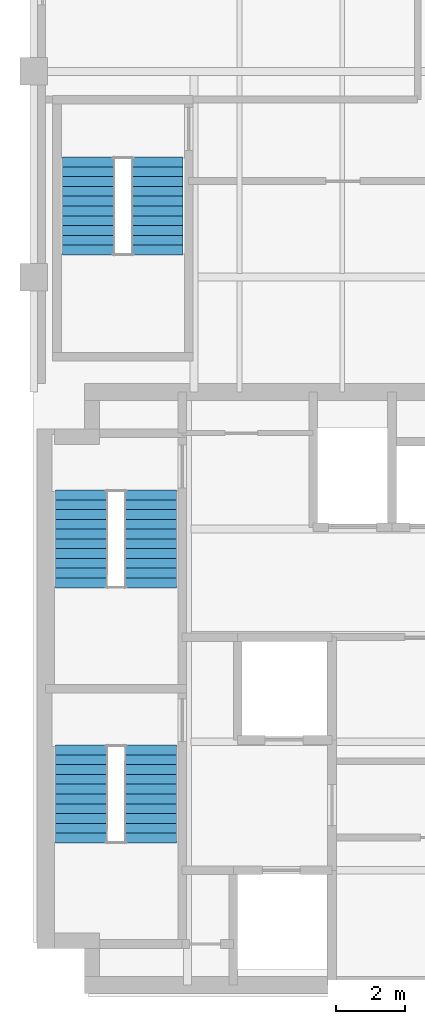
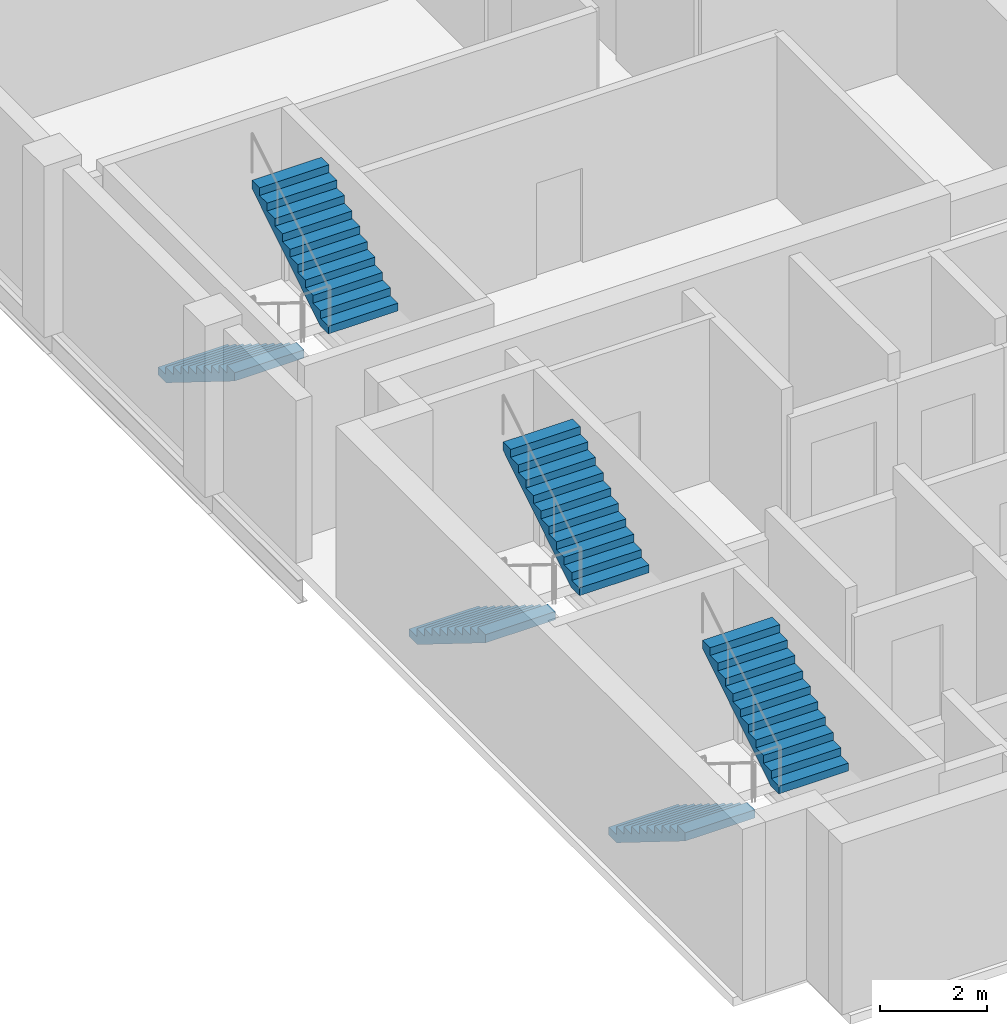
# One storey, part 5 of 6: 6 stair flights, 3 elements without a shape of their own.
"""IFC4 building model written with IfcOpenShell, lengths in metres."""

from ifc_helpers import new_model, si_unit, direction, frame, origin, place, context, subcontext, project, spatial, polyline, outline, extrude, material, type_object, element, aggregate, save


model = new_model("IFC4")

# Units and contexts
model_context = context("Model", 3, precision=1e-05, world=origin(), true_north=direction((0.0, 1.0)))
body_context = subcontext(model_context, "Body", "Model", "MODEL_VIEW")
ifc_project = project(units=[si_unit("LENGTHUNIT", "METRE"), si_unit("AREAUNIT", "SQUARE_METRE"), si_unit("VOLUMEUNIT", "CUBIC_METRE"), si_unit("PLANEANGLEUNIT", "RADIAN"), si_unit("MASSUNIT", "GRAM", prefix="KILO")], contexts=[model_context])

# Site, building, storey
site_placement = place(None, origin())
site = spatial("IfcSite", under=ifc_project, at=site_placement, CompositionType="ELEMENT")
building_placement = place(site_placement, origin())
building = spatial("IfcBuilding", under=site, at=building_placement, Name="Mawjdan Bourse Tower", CompositionType="ELEMENT")
storey_placement = place(building_placement, frame((0.0, 0.0, 239.10009765625)))
storey = spatial("IfcBuildingStorey", under=building, at=storey_placement, Name="L58", CompositionType="ELEMENT", Elevation=239.10009765625)

# Stair, stair flights
ifc_material = material(Name="Concrete C50/60", Category="concrete")
stair_type = type_object("IfcStairType", Name="STR-CORE-1500", PredefinedType="HALF_TURN_STAIR", material=ifc_material)
stair_1_placement = place(storey_placement, origin())
stair_1 = element("IfcStair", 1, at=stair_1_placement, inside=storey, type_object=stair_type, Name="L58 Exit Stair 1 (Core South-West)", PredefinedType="HALF_TURN_STAIR")
stair_flight_type = type_object("IfcStairFlightType", Name="SFL-RC-1500", PredefinedType="STRAIGHT", material=ifc_material)
stair_flight_1_placement = place(storey_placement, frame((7.389892578125, 10.35009765625, 0.0), z_axis=(0.0, 0.0, 1.0), x_axis=(0.0, -1.0, 0.0)))
stair_flight_1 = element("IfcStairFlight", 2, at=stair_flight_1_placement, type_object=stair_flight_type, Name="ST1-L58 flight 1", NumberOfRisers=11, NumberOfTreads=10, PredefinedType="STRAIGHT", RiserHeight=0.177273, TreadLength=0.285, context=body_context, shape_type="SweptSolid", body=[
    extrude(outline(polyline([(0.0, 0.0), (0.0, 0.17724609375), (0.284912109375, 0.17724609375), (0.284912109375, 0.3544921875), (0.570068359375, 0.3544921875), (0.570068359375, 0.53173828125), (0.85498046875, 0.53173828125), (0.85498046875, 0.708984375), (1.139892578125, 0.708984375), (1.139892578125, 0.886474609375), (1.425048828125, 0.886474609375), (1.425048828125, 1.063720703125), (1.7099609375, 1.063720703125), (1.7099609375, 1.240966796875), (1.9951171875, 1.240966796875), (1.9951171875, 1.418212890625), (2.280029296875, 1.418212890625), (2.280029296875, 1.595458984375), (2.56494140625, 1.595458984375), (2.56494140625, 1.772705078125), (2.85009765625, 1.772705078125), (2.85009765625, 1.949951171875), (2.85009765625, 1.58447265625), (0.302734375, 0.0), (0.0, 0.0)])), frame((0.0, 0.75, 0.0), z_axis=(0.0, -1.0, 0.0), x_axis=(1.0, 0.0, 0.0)), (0.0, 0.0, 1.0), 1.5),
])
stair_flight_2_placement = place(storey_placement, frame((9.409912109375, 7.5, 1.949951171875), z_axis=(0.0, 0.0, 1.0), x_axis=(0.0, 1.0, 0.0)))
stair_flight_2 = element("IfcStairFlight", 3, at=stair_flight_2_placement, type_object=stair_flight_type, Name="ST1-L58 flight 2", NumberOfRisers=11, NumberOfTreads=10, PredefinedType="STRAIGHT", RiserHeight=0.177273, TreadLength=0.285, context=body_context, shape_type="SweptSolid", body=[
    extrude(outline(polyline([(0.0, 0.0), (0.0, 0.17724609375), (0.284912109375, 0.17724609375), (0.284912109375, 0.3544921875), (0.570068359375, 0.3544921875), (0.570068359375, 0.53173828125), (0.85498046875, 0.53173828125), (0.85498046875, 0.708984375), (1.139892578125, 0.708984375), (1.139892578125, 0.886474609375), (1.425048828125, 0.886474609375), (1.425048828125, 1.063720703125), (1.7099609375, 1.063720703125), (1.7099609375, 1.240966796875), (1.9951171875, 1.240966796875), (1.9951171875, 1.418212890625), (2.280029296875, 1.418212890625), (2.280029296875, 1.595458984375), (2.56494140625, 1.595458984375), (2.56494140625, 1.772705078125), (2.85009765625, 1.772705078125), (2.85009765625, 1.949951171875), (2.85009765625, 1.58447265625), (0.302734375, 0.0), (0.0, 0.0)])), frame((0.0, 0.75, 0.0), z_axis=(0.0, -1.0, 0.0), x_axis=(1.0, 0.0, 0.0)), (0.0, 0.0, 1.0), 1.5),
])
aggregate(stair_1, [stair_flight_1, stair_flight_2])

stair_2_placement = place(storey_placement, origin())
stair_2 = element("IfcStair", 4, at=stair_2_placement, inside=storey, type_object=stair_type, Name="L58 Exit Stair 2 (Core North-West)", PredefinedType="HALF_TURN_STAIR")
stair_flight_3_placement = place(storey_placement, frame((7.389892578125, 17.7900390625, 0.0), z_axis=(0.0, 0.0, 1.0), x_axis=(0.0, -1.0, 0.0)))
stair_flight_3 = element("IfcStairFlight", 5, at=stair_flight_3_placement, type_object=stair_flight_type, Name="ST2-L58 flight 1", NumberOfRisers=11, NumberOfTreads=10, PredefinedType="STRAIGHT", RiserHeight=0.177273, TreadLength=0.285, context=body_context, shape_type="SweptSolid", body=[
    extrude(outline(polyline([(0.0, 0.0), (0.0, 0.17724609375), (0.284912109375, 0.17724609375), (0.284912109375, 0.3544921875), (0.570068359375, 0.3544921875), (0.570068359375, 0.53173828125), (0.85498046875, 0.53173828125), (0.85498046875, 0.708984375), (1.139892578125, 0.708984375), (1.139892578125, 0.886474609375), (1.425048828125, 0.886474609375), (1.425048828125, 1.063720703125), (1.7099609375, 1.063720703125), (1.7099609375, 1.240966796875), (1.9951171875, 1.240966796875), (1.9951171875, 1.418212890625), (2.280029296875, 1.418212890625), (2.280029296875, 1.595458984375), (2.56494140625, 1.595458984375), (2.56494140625, 1.772705078125), (2.85009765625, 1.772705078125), (2.85009765625, 1.949951171875), (2.85009765625, 1.58447265625), (0.302734375, 0.0), (0.0, 0.0)])), frame((0.0, 0.75, 0.0), z_axis=(0.0, -1.0, 0.0), x_axis=(1.0, 0.0, 0.0)), (0.0, 0.0, 1.0), 1.5),
])
stair_flight_4_placement = place(storey_placement, frame((9.409912109375, 14.93994140625, 1.949951171875), z_axis=(0.0, 0.0, 1.0), x_axis=(0.0, 1.0, 0.0)))
stair_flight_4 = element("IfcStairFlight", 6, at=stair_flight_4_placement, type_object=stair_flight_type, Name="ST2-L58 flight 2", NumberOfRisers=11, NumberOfTreads=10, PredefinedType="STRAIGHT", RiserHeight=0.177273, TreadLength=0.285, context=body_context, shape_type="SweptSolid", body=[
    extrude(outline(polyline([(0.0, 0.0), (0.0, 0.17724609375), (0.284912109375, 0.17724609375), (0.284912109375, 0.3544921875), (0.570068359375, 0.3544921875), (0.570068359375, 0.53173828125), (0.85498046875, 0.53173828125), (0.85498046875, 0.708984375), (1.139892578125, 0.708984375), (1.139892578125, 0.886474609375), (1.425048828125, 0.886474609375), (1.425048828125, 1.063720703125), (1.7099609375, 1.063720703125), (1.7099609375, 1.240966796875), (1.9951171875, 1.240966796875), (1.9951171875, 1.418212890625), (2.280029296875, 1.418212890625), (2.280029296875, 1.595458984375), (2.56494140625, 1.595458984375), (2.56494140625, 1.772705078125), (2.85009765625, 1.772705078125), (2.85009765625, 1.949951171875), (2.85009765625, 1.58447265625), (0.302734375, 0.0), (0.0, 0.0)])), frame((0.0, 0.75, 0.0), z_axis=(0.0, -1.0, 0.0), x_axis=(1.0, 0.0, 0.0)), (0.0, 0.0, 1.0), 1.5),
])
aggregate(stair_2, [stair_flight_3, stair_flight_4])

stair_3_placement = place(storey_placement, origin())
stair_3 = element("IfcStair", 7, at=stair_3_placement, inside=storey, type_object=stair_type, Name="L58 Exit Stair 3 (North Wing)", PredefinedType="HALF_TURN_STAIR")
stair_flight_5_placement = place(storey_placement, frame((7.590087890625, 27.5, 0.0), z_axis=(0.0, 0.0, 1.0), x_axis=(0.0, -1.0, 0.0)))
stair_flight_5 = element("IfcStairFlight", 8, at=stair_flight_5_placement, type_object=stair_flight_type, Name="ST3-L58 flight 1", NumberOfRisers=11, NumberOfTreads=10, PredefinedType="STRAIGHT", RiserHeight=0.177273, TreadLength=0.285, context=body_context, shape_type="SweptSolid", body=[
    extrude(outline(polyline([(0.0, 0.0), (0.0, 0.17724609375), (0.284912109375, 0.17724609375), (0.284912109375, 0.3544921875), (0.570068359375, 0.3544921875), (0.570068359375, 0.53173828125), (0.85498046875, 0.53173828125), (0.85498046875, 0.708984375), (1.139892578125, 0.708984375), (1.139892578125, 0.886474609375), (1.425048828125, 0.886474609375), (1.425048828125, 1.063720703125), (1.7099609375, 1.063720703125), (1.7099609375, 1.240966796875), (1.9951171875, 1.240966796875), (1.9951171875, 1.418212890625), (2.280029296875, 1.418212890625), (2.280029296875, 1.595458984375), (2.56494140625, 1.595458984375), (2.56494140625, 1.772705078125), (2.85009765625, 1.772705078125), (2.85009765625, 1.949951171875), (2.85009765625, 1.58447265625), (0.302734375, 0.0), (0.0, 0.0)])), frame((0.0, 0.75, 0.0), z_axis=(0.0, -1.0, 0.0), x_axis=(1.0, 0.0, 0.0)), (0.0, 0.0, 1.0), 1.5),
])
stair_flight_6_placement = place(storey_placement, frame((9.610107421875, 24.64990234375, 1.949951171875), z_axis=(0.0, 0.0, 1.0), x_axis=(0.0, 1.0, 0.0)))
stair_flight_6 = element("IfcStairFlight", 9, at=stair_flight_6_placement, type_object=stair_flight_type, Name="ST3-L58 flight 2", NumberOfRisers=11, NumberOfTreads=10, PredefinedType="STRAIGHT", RiserHeight=0.177273, TreadLength=0.285, context=body_context, shape_type="SweptSolid", body=[
    extrude(outline(polyline([(0.0, 0.0), (0.0, 0.17724609375), (0.284912109375, 0.17724609375), (0.284912109375, 0.3544921875), (0.570068359375, 0.3544921875), (0.570068359375, 0.53173828125), (0.85498046875, 0.53173828125), (0.85498046875, 0.708984375), (1.139892578125, 0.708984375), (1.139892578125, 0.886474609375), (1.425048828125, 0.886474609375), (1.425048828125, 1.063720703125), (1.7099609375, 1.063720703125), (1.7099609375, 1.240966796875), (1.9951171875, 1.240966796875), (1.9951171875, 1.418212890625), (2.280029296875, 1.418212890625), (2.280029296875, 1.595458984375), (2.56494140625, 1.595458984375), (2.56494140625, 1.772705078125), (2.85009765625, 1.772705078125), (2.85009765625, 1.949951171875), (2.85009765625, 1.58447265625), (0.302734375, 0.0), (0.0, 0.0)])), frame((0.0, 0.75, 0.0), z_axis=(0.0, -1.0, 0.0), x_axis=(1.0, 0.0, 0.0)), (0.0, 0.0, 1.0), 1.5),
])
aggregate(stair_3, [stair_flight_5, stair_flight_6])

save(model, "model.ifc")
